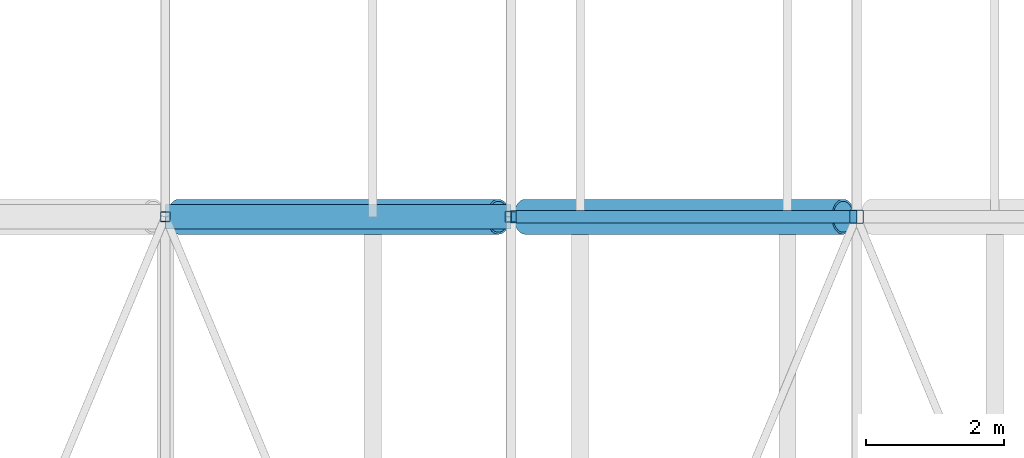
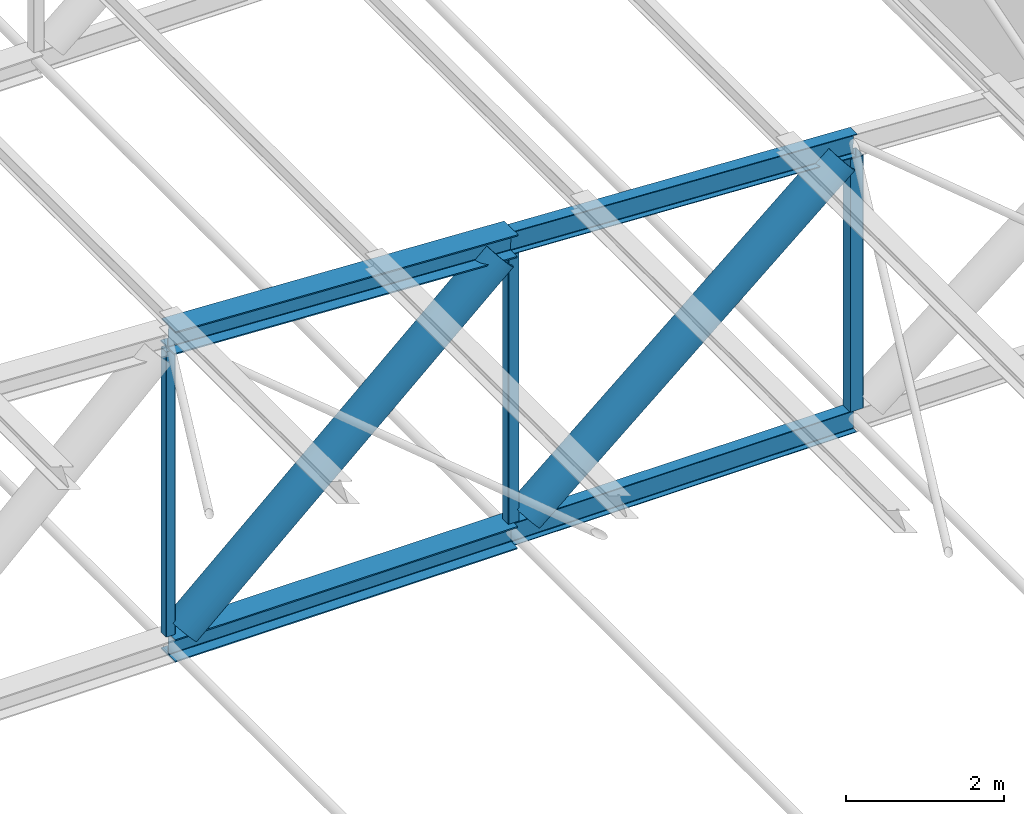
# One storey, part 84 of 156: 9 members.
"""IFC4 building model written with IfcOpenShell, lengths in metres."""

import ifcopenshell
import ifcopenshell.guid

model = None  # the IFC model being written
_history = None  # IfcOwnerHistory: only IFC2X3 demands one
_inside = {}  # id of a spatial element -> (the spatial element, [elements in it])
_under = {}  # id of a project, library or spatial element -> (it, [spatial elements below it])
_declared = {}  # id of a project -> (the project, [libraries it declares])
_typed = {}  # id of a type object -> (the type object, [elements of that type])
_made_of = {}  # id of a material, layer set ... -> (it, [elements and type objects made of it])


def new_model(schema):
    """Start an empty IFC model of exactly this schema.

    Asked for "IFC4X3", IfcOpenShell would pick the latest addendum, in which some entities
    have other attributes; the version numbers below select the first issue.
    IFC2X3 requires an IfcOwnerHistory on every rooted entity: one is made here for all.
    """
    global model, _history
    if schema == "IFC4X3":
        model = ifcopenshell.file(schema_version=(4, 3, 0, 0))
    else:
        model = ifcopenshell.file(schema=schema)
    _inside.clear()
    _under.clear()
    _declared.clear()
    _typed.clear()
    _made_of.clear()
    _history = None
    if model.schema == "IFC2X3":
        org = make("IfcOrganization", Name="unknown")
        user = make(
            "IfcPersonAndOrganization",
            ThePerson=make("IfcPerson", FamilyName="unknown"),
            TheOrganization=org,
        )
        app = make(
            "IfcApplication",
            ApplicationDeveloper=org,
            Version="unknown",
            ApplicationFullName="unknown",
            ApplicationIdentifier="unknown",
        )
        _history = make(
            "IfcOwnerHistory",
            OwningUser=user,
            OwningApplication=app,
            ChangeAction="ADDED",
            CreationDate=0,
        )
    return model


def make(cls, **values):
    """One entity of the class cls with the attributes given. An attribute that is None is left unset."""
    return model.create_entity(
        cls, **{name: value for name, value in values.items() if value is not None}
    )


def rooted(cls, **values):
    """An entity with a GlobalId (a new one), such as an element, a storey or a relation."""
    return make(cls, GlobalId=ifcopenshell.guid.new(), OwnerHistory=_history, **values)


def si_unit(unit_type, name, prefix=None):
    """IfcSIUnit, for example si_unit("LENGTHUNIT", "METRE", prefix="MILLI")."""
    return make("IfcSIUnit", UnitType=unit_type, Prefix=prefix, Name=name)


def assignment(units):
    """IfcUnitAssignment: the units of a project."""
    return None if units is None else make("IfcUnitAssignment", Units=units)


def point(xyz):
    """IfcCartesianPoint."""
    return None if xyz is None else make("IfcCartesianPoint", Coordinates=xyz)


def direction(xyz):
    """IfcDirection."""
    return None if xyz is None else make("IfcDirection", DirectionRatios=xyz)


def frame(location, z_axis=None, x_axis=None):
    """IfcAxis2Placement3D, a coordinate frame: its origin and axes. An axis left out is left unset."""
    return make(
        "IfcAxis2Placement3D",
        Location=point(location),
        Axis=direction(z_axis),
        RefDirection=direction(x_axis),
    )


def frame_2d(location, x_axis=None):
    """IfcAxis2Placement2D, a coordinate frame in the plane: its origin and x axis."""
    return make(
        "IfcAxis2Placement2D", Location=point(location), RefDirection=direction(x_axis)
    )


def origin():
    """The frame at (0, 0, 0) with its axes left unset."""
    return frame((0.0, 0.0, 0.0))


def origin_2d():
    """The frame at (0, 0) in the plane with its x axis left unset."""
    return frame_2d((0.0, 0.0))


def place(relative_to, where):
    """IfcLocalPlacement: puts the frame where relative to a parent placement (None: the world)."""
    return make(
        "IfcLocalPlacement", PlacementRelTo=relative_to, RelativePlacement=where
    )


def context(
    kind, dimensions, precision=None, world=None, true_north=None, identifier=None
):
    """IfcGeometricRepresentationContext, for example the 3D "Model" context."""
    return make(
        "IfcGeometricRepresentationContext",
        ContextIdentifier=identifier,
        ContextType=kind,
        CoordinateSpaceDimension=dimensions,
        Precision=precision,
        WorldCoordinateSystem=world,
        TrueNorth=true_north,
    )


def subcontext(parent, identifier, kind, view, scale=None):
    """IfcGeometricRepresentationSubContext, for example "Body" below "Model"."""
    return make(
        "IfcGeometricRepresentationSubContext",
        ContextIdentifier=identifier,
        ContextType=kind,
        ParentContext=parent,
        TargetScale=scale,
        TargetView=view,
    )


def project(units=None, contexts=None):
    """IfcProject with its units and contexts."""
    return rooted(
        "IfcProject",
        Name="project",
        RepresentationContexts=contexts,
        UnitsInContext=assignment(units),
    )


def spatial(cls, under=None, at=None, **own):
    """A site, building, storey or space (cls), placed at a placement, below another one or the project."""
    s = rooted(cls, ObjectPlacement=at, **own)
    if under is not None:
        _under.setdefault(under.id(), (under, []))[1].append(s)
    return s


def profile(cls, at=None, kind="AREA", **sizes):
    """A parametric profile (cls). Its sizes go by their IFC names, for example OverallWidth=200.0."""
    return make(cls, ProfileType=kind, Position=at, **sizes)


def hollow_rectangle(**sizes):
    """IfcRectangleHollowProfileDef."""
    return profile("IfcRectangleHollowProfileDef", **sizes)


def hollow_circle(**sizes):
    """IfcCircleHollowProfileDef."""
    return profile("IfcCircleHollowProfileDef", **sizes)


def i_section(**sizes):
    """IfcIShapeProfileDef."""
    return profile("IfcIShapeProfileDef", **sizes)


def extrude(swept, where, along, depth):
    """IfcExtrudedAreaSolid: the profile swept, set in the frame where, extruded along a direction by depth."""
    return make(
        "IfcExtrudedAreaSolid",
        SweptArea=swept,
        Position=where,
        ExtrudedDirection=direction(along),
        Depth=depth,
    )


def shape(context_of_items, identifier, shape_type, items):
    """IfcShapeRepresentation: the items that make up one representation, for example the "Body"."""
    return make(
        "IfcShapeRepresentation",
        ContextOfItems=context_of_items,
        RepresentationIdentifier=identifier,
        RepresentationType=shape_type,
        Items=items,
    )


def material(Name=None, Category=None):
    """IfcMaterial."""
    return make("IfcMaterial", Name=Name, Category=Category)


def material_profile(
    of_material, cross_section, Name=None, Category=None, Priority=None
):
    """IfcMaterialProfile: a cross section and its material."""
    return make(
        "IfcMaterialProfile",
        Name=Name,
        Material=of_material,
        Profile=cross_section,
        Priority=Priority,
        Category=Category,
    )


def profile_set(profiles, Name=None, composite=None):
    """IfcMaterialProfileSet."""
    return make(
        "IfcMaterialProfileSet",
        Name=Name,
        MaterialProfiles=profiles,
        CompositeProfile=composite,
    )


def made_of(thing, what):
    """Note that an element or type object is made of a material, layer set ...; save() writes the relation."""
    if what is not None:
        _made_of.setdefault(what.id(), (what, []))[1].append(thing)
    return thing


def type_object(cls, material=None, **own):
    """A type object (cls), such as IfcWallType, which elements share."""
    return made_of(rooted(cls, **own), material)


def element(
    cls,
    number,
    at=None,
    inside=None,
    cuts=None,
    type_object=None,
    material=None,
    context=None,
    identifier="Body",
    shape_type=None,
    held_by="IfcProductDefinitionShape",
    body=None,
    shapes=None,
    **own,
):
    """One element of the class cls, such as IfcWall. Its Tag is "e" and its number.

    at: its placement. inside: the storey or other place that contains it. cuts: it is an
    opening in that element (IfcRelVoidsElement). A single representation is given by context,
    identifier, shape_type and body (its items); several are given by shapes. held_by: the class
    of the entity that holds the representations. save() writes the other relations.
    """
    e = rooted(cls, Tag="e%d" % number, ObjectPlacement=at, **own)
    if body is not None:
        shapes = [shape(context, identifier, shape_type, body)]
    if shapes is not None:
        e.Representation = make(held_by, Representations=shapes)
    if inside is not None:
        _inside.setdefault(inside.id(), (inside, []))[1].append(e)
    if cuts is not None:
        rooted(
            "IfcRelVoidsElement", RelatingBuildingElement=cuts, RelatedOpeningElement=e
        )
    if type_object is not None:
        _typed.setdefault(type_object.id(), (type_object, []))[1].append(e)
    return made_of(e, material)


def aggregate(whole, parts):
    """IfcRelAggregates: a whole, such as a stair, and the parts it consists of."""
    return rooted("IfcRelAggregates", RelatingObject=whole, RelatedObjects=parts)


def save(model, path):
    """Write the relations noted so far, then the file.

    IfcRelAggregates (storeys below a building ...), IfcRelContainedInSpatialStructure (elements
    in a storey), IfcRelDefinesByType, IfcRelAssociatesMaterial and IfcRelDeclares: one each for
    every whole, place, type object, material and project.
    """
    for whole, parts in _under.values():
        aggregate(whole, parts)
    for where, things in _inside.values():
        rooted(
            "IfcRelContainedInSpatialStructure",
            RelatedElements=things,
            RelatingStructure=where,
        )
    for kind, things in _typed.values():
        rooted("IfcRelDefinesByType", RelatedObjects=things, RelatingType=kind)
    for what, things in _made_of.values():
        rooted("IfcRelAssociatesMaterial", RelatedObjects=things, RelatingMaterial=what)
    for by, libraries in _declared.values():
        rooted("IfcRelDeclares", RelatingContext=by, RelatedDefinitions=libraries)
    model.write(path)


model = new_model("IFC4")

# Units and contexts
model_context = context("Model", 3, precision=1e-05, world=origin(), true_north=direction((0.0, 1.0)))
body_context = subcontext(model_context, "Body", "Model", "MODEL_VIEW")
ifc_project = project(units=[si_unit("LENGTHUNIT", "METRE"), si_unit("AREAUNIT", "SQUARE_METRE"), si_unit("VOLUMEUNIT", "CUBIC_METRE"), si_unit("PLANEANGLEUNIT", "RADIAN"), si_unit("MASSUNIT", "GRAM", prefix="KILO")], contexts=[model_context])

# Site, building, storey
site_placement = place(None, origin())
site = spatial("IfcSite", under=ifc_project, at=site_placement, CompositionType="ELEMENT")
building_placement = place(site_placement, origin())
building = spatial("IfcBuilding", under=site, at=building_placement, Name="Lilac Gate Convention Centre", CompositionType="ELEMENT")
storey_placement = place(building_placement, frame((0.0, 0.0, 17.0)))
storey = spatial("IfcBuildingStorey", under=building, at=storey_placement, Name="L03", CompositionType="ELEMENT", Elevation=17.0)

# Members
ifc_material = material(Name="Steel Q355B", Category="steel")
ifc_material_profile_1 = material_profile(ifc_material, i_section(OverallWidth=0.175048828125, OverallDepth=0.35009765625, WebThickness=0.007080078125, FlangeThickness=0.010986328125, FilletRadius=0.012939453125, at=origin_2d()), Name="HN350x175x7x11")
ifc_profile_set_1 = profile_set([ifc_material_profile_1], Name="Steel Q355B")
member_type_1 = type_object("IfcMemberType", Name="Truss bottom chord HN350x175x7x11", PredefinedType="CHORD", material=ifc_profile_set_1)
member_1_placement = place(storey_placement, frame((80.0, 138.0, 0.0), z_axis=(1.0, 0.0, 0.0), x_axis=(0.0, 1.0, 0.0)))
element("IfcMember", 1, at=member_1_placement, inside=storey, type_object=member_type_1, Name="TB1 truss 10 bottom chord 11", PredefinedType="CHORD", context=body_context, shape_type="SweptSolid", body=[
    extrude(i_section(OverallWidth=0.175048828125, OverallDepth=0.35009765625, WebThickness=0.007080078125, FlangeThickness=0.010986328125, FilletRadius=0.012939453125, at=origin_2d()), origin(), (0.0, 0.0, 1.0), 5.0),
])
ifc_material_profile_2 = material_profile(ifc_material, i_section(OverallWidth=0.35009765625, OverallDepth=0.35009765625, WebThickness=0.011962890625, FlangeThickness=0.01904296875, FilletRadius=0.012939453125, at=origin_2d()), Name="HW350x350x12x19")
ifc_profile_set_2 = profile_set([ifc_material_profile_2], Name="Steel Q355B")
member_type_2 = type_object("IfcMemberType", Name="Truss bottom chord HW350x350x12x19", PredefinedType="CHORD", material=ifc_profile_set_2)
member_2_placement = place(storey_placement, frame((75.0, 138.0, 0.0), z_axis=(1.0, 0.0, 0.0), x_axis=(0.0, 1.0, 0.0)))
element("IfcMember", 2, at=member_2_placement, inside=storey, type_object=member_type_2, Name="TB2 truss 10 bottom chord 10", PredefinedType="CHORD", context=body_context, shape_type="SweptSolid", body=[
    extrude(i_section(OverallWidth=0.35009765625, OverallDepth=0.35009765625, WebThickness=0.011962890625, FlangeThickness=0.01904296875, FilletRadius=0.012939453125, at=origin_2d()), origin(), (0.0, 0.0, 1.0), 5.0),
])
ifc_material_profile_3 = material_profile(ifc_material, hollow_circle(Radius=0.25390625, WallThickness=0.030029296875, at=origin_2d()), Name="CHS508x30")
ifc_profile_set_3 = profile_set([ifc_material_profile_3], Name="Steel Q355B")
member_type_3 = type_object("IfcMemberType", Name="Truss diagonal CHS508x30", PredefinedType="BRACE", material=ifc_profile_set_3)
member_3_placement = place(storey_placement, frame((79.8173828125, 138.0, 4.335693359375), z_axis=(-0.743301953498, 0.0, -0.668956056797), x_axis=(0.0, -1.0, 0.0)))
element("IfcMember", 3, at=member_3_placement, inside=storey, type_object=member_type_3, Name="TW10 truss 10 diagonal 10", PredefinedType="BRACE", context=body_context, shape_type="SweptSolid", body=[
    extrude(hollow_circle(Radius=0.25390625, WallThickness=0.030029296875, at=origin_2d()), origin(), (0.0, 0.0, 1.0), 6.2197265625),
])
member_4_placement = place(storey_placement, frame((84.806884765625, 138.0, 4.085693359375), z_axis=(-0.761961263863, 0.0, -0.647622600263), x_axis=(0.0, -1.0, 0.0)))
element("IfcMember", 4, at=member_4_placement, inside=storey, type_object=member_type_3, Name="TW10 truss 10 diagonal 11", PredefinedType="BRACE", context=body_context, shape_type="SweptSolid", body=[
    extrude(hollow_circle(Radius=0.25390625, WallThickness=0.030029296875, at=origin_2d()), origin(), (0.0, 0.0, 1.0), 6.03857421875),
])
ifc_material_profile_4 = material_profile(ifc_material, i_section(OverallWidth=0.175048828125, OverallDepth=0.35009765625, WebThickness=0.007080078125, FlangeThickness=0.010986328125, FilletRadius=0.012939453125, at=origin_2d()), Name="HN350x175x7x11")
ifc_profile_set_4 = profile_set([ifc_material_profile_4], Name="Steel Q355B")
member_type_4 = type_object("IfcMemberType", Name="Truss top chord HN350x175x7x11", PredefinedType="CHORD", material=ifc_profile_set_4)
member_5_placement = place(storey_placement, frame((80.0, 138.0, 4.5), z_axis=(0.998752338878, 0.0, -0.049937616944), x_axis=(0.0, 1.0, 0.0)))
element("IfcMember", 5, at=member_5_placement, inside=storey, type_object=member_type_4, Name="TT1 truss 10 top chord 11", PredefinedType="CHORD", context=body_context, shape_type="SweptSolid", body=[
    extrude(i_section(OverallWidth=0.175048828125, OverallDepth=0.35009765625, WebThickness=0.007080078125, FlangeThickness=0.010986328125, FilletRadius=0.012939453125, at=origin_2d()), origin(), (0.0, 0.0, 1.0), 5.00634765625),
])
ifc_material_profile_5 = material_profile(ifc_material, i_section(OverallWidth=0.35009765625, OverallDepth=0.35009765625, WebThickness=0.011962890625, FlangeThickness=0.01904296875, FilletRadius=0.012939453125, at=origin_2d()), Name="HW350x350x12x19")
ifc_profile_set_5 = profile_set([ifc_material_profile_5], Name="Steel Q355B")
member_type_5 = type_object("IfcMemberType", Name="Truss top chord HW350x350x12x19", PredefinedType="CHORD", material=ifc_profile_set_5)
member_6_placement = place(storey_placement, frame((75.0, 138.0, 4.75), z_axis=(0.998752338878, 0.0, -0.049937616944), x_axis=(0.0, 1.0, 0.0)))
element("IfcMember", 6, at=member_6_placement, inside=storey, type_object=member_type_5, Name="TT2 truss 10 top chord 10", PredefinedType="CHORD", context=body_context, shape_type="SweptSolid", body=[
    extrude(i_section(OverallWidth=0.35009765625, OverallDepth=0.35009765625, WebThickness=0.011962890625, FlangeThickness=0.01904296875, FilletRadius=0.012939453125, at=origin_2d()), origin(), (0.0, 0.0, 1.0), 5.00634765625),
])
ifc_material_profile_6 = material_profile(ifc_material, hollow_rectangle(XDim=0.139892578125, YDim=0.139892578125, WallThickness=0.0048828125, InnerFilletRadius=0.0048828125, OuterFilletRadius=0.010009765625, at=origin_2d()), Name="SHS140x140x5")
ifc_profile_set_6 = profile_set([ifc_material_profile_6], Name="Steel Q355B")
member_type_6 = type_object("IfcMemberType", Name="Truss vertical SHS140x140x5", PredefinedType="STRUT", material=ifc_profile_set_6)
member_7_placement = place(storey_placement, frame((75.0, 138.0, 0.175048828125), z_axis=(0.0, 0.0, 1.0), x_axis=(1.0, 0.0, 0.0)))
element("IfcMember", 7, at=member_7_placement, inside=storey, type_object=member_type_6, Name="TV4 truss 10 vertical 10", PredefinedType="STRUT", context=body_context, shape_type="SweptSolid", body=[
    extrude(hollow_rectangle(XDim=0.139892578125, YDim=0.139892578125, WallThickness=0.0048828125, InnerFilletRadius=0.0048828125, OuterFilletRadius=0.010009765625, at=origin_2d()), origin(), (0.0, 0.0, 1.0), 4.399658203125),
])
ifc_material_profile_7 = material_profile(ifc_material, hollow_rectangle(XDim=0.159912109375, YDim=0.159912109375, WallThickness=0.006103515625, InnerFilletRadius=0.006103515625, OuterFilletRadius=0.011962890625, at=origin_2d()), Name="SHS160x160x6")
ifc_profile_set_7 = profile_set([ifc_material_profile_7], Name="Steel Q355B")
member_type_7 = type_object("IfcMemberType", Name="Truss vertical SHS160x160x6", PredefinedType="STRUT", material=ifc_profile_set_7)
member_8_placement = place(storey_placement, frame((80.0, 138.0, 0.175048828125), z_axis=(0.0, 0.0, 1.0), x_axis=(1.0, 0.0, 0.0)))
element("IfcMember", 8, at=member_8_placement, inside=storey, type_object=member_type_7, Name="TV3 truss 10 vertical 11", PredefinedType="STRUT", context=body_context, shape_type="SweptSolid", body=[
    extrude(hollow_rectangle(XDim=0.159912109375, YDim=0.159912109375, WallThickness=0.006103515625, InnerFilletRadius=0.006103515625, OuterFilletRadius=0.011962890625, at=origin_2d()), origin(), (0.0, 0.0, 1.0), 4.149658203125),
])
ifc_material_profile_8 = material_profile(ifc_material, hollow_rectangle(XDim=0.199951171875, YDim=0.199951171875, WallThickness=0.008056640625, InnerFilletRadius=0.011962890625, OuterFilletRadius=0.02001953125, at=origin_2d()), Name="SHS200x200x8")
ifc_profile_set_8 = profile_set([ifc_material_profile_8], Name="Steel Q355B")
member_type_8 = type_object("IfcMemberType", Name="Truss vertical SHS200x200x8", PredefinedType="STRUT", material=ifc_profile_set_8)
member_9_placement = place(storey_placement, frame((85.0, 138.0, 0.175048828125), z_axis=(0.0, 0.0, 1.0), x_axis=(1.0, 0.0, 0.0)))
element("IfcMember", 9, at=member_9_placement, inside=storey, type_object=member_type_8, Name="TV2 truss 10 vertical 12", PredefinedType="STRUT", context=body_context, shape_type="SweptSolid", body=[
    extrude(hollow_rectangle(XDim=0.199951171875, YDim=0.199951171875, WallThickness=0.008056640625, InnerFilletRadius=0.011962890625, OuterFilletRadius=0.02001953125, at=origin_2d()), origin(), (0.0, 0.0, 1.0), 3.899658203125),
])

save(model, "model.ifc")
